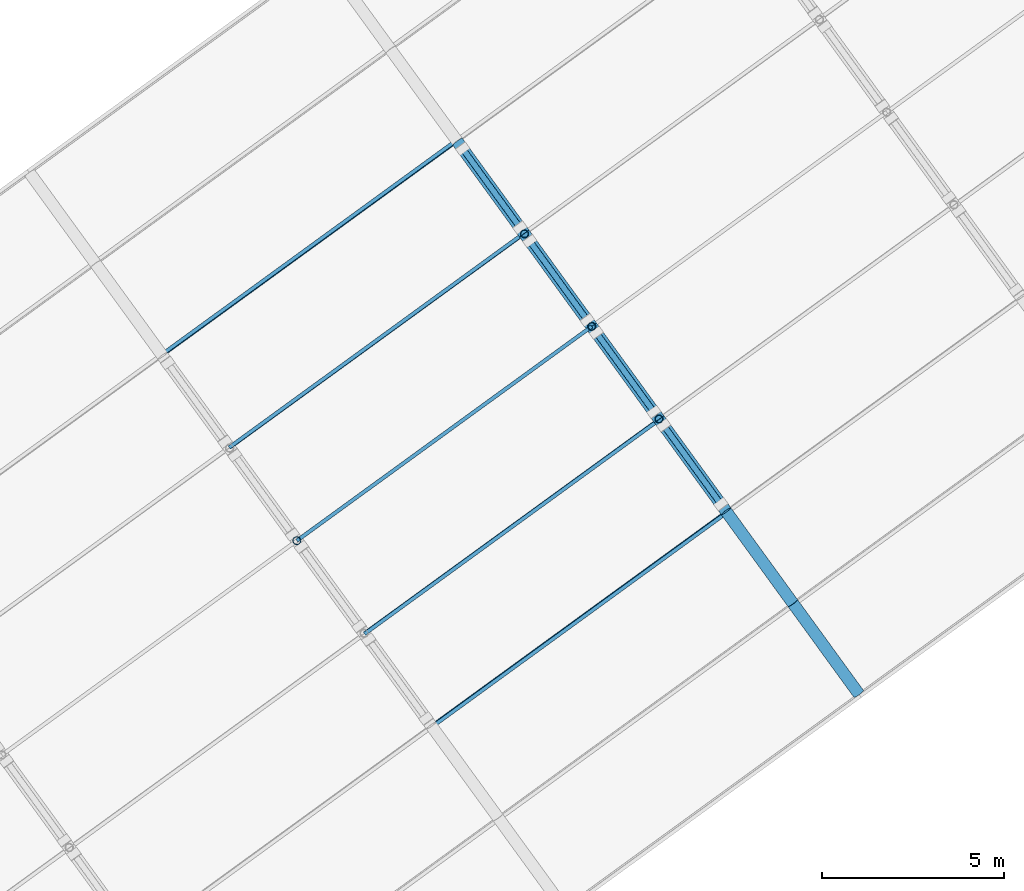
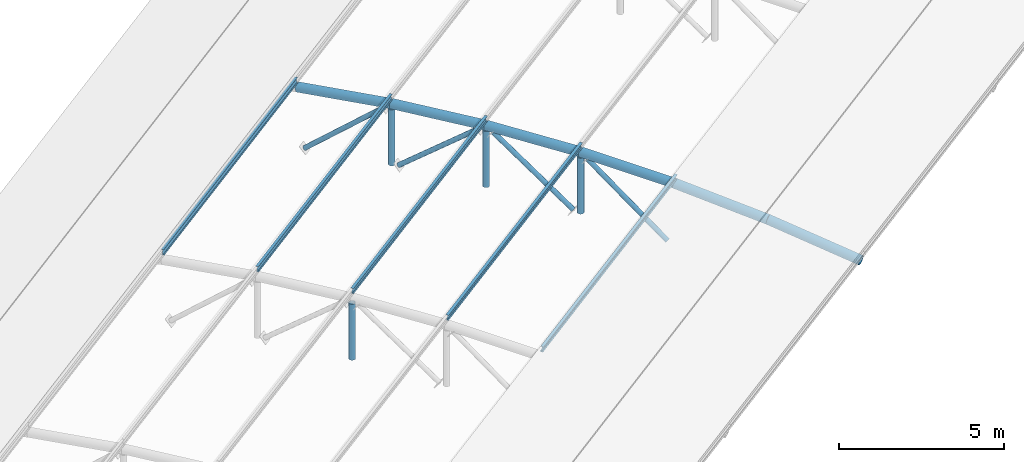
# One storey, part 16 of 41: 14 members, 5 beams.
"""IFC4 building model written with IfcOpenShell, lengths in metres."""

from ifc_helpers import new_model, si_unit, direction, frame, origin, origin_2d, place, context, subcontext, project, spatial, hollow_circle, i_section, extrude, material, material_profile, profile_set, type_object, element, save


model = new_model("IFC4")

# Units and contexts
model_context = context("Model", 3, precision=1e-05, world=origin(), true_north=direction((0.0, 1.0)))
body_context = subcontext(model_context, "Body", "Model", "MODEL_VIEW")
ifc_project = project(units=[si_unit("LENGTHUNIT", "METRE"), si_unit("AREAUNIT", "SQUARE_METRE"), si_unit("VOLUMEUNIT", "CUBIC_METRE"), si_unit("PLANEANGLEUNIT", "RADIAN"), si_unit("MASSUNIT", "GRAM", prefix="KILO")], contexts=[model_context])

# Site, building, storey
site_placement = place(None, origin())
site = spatial("IfcSite", under=ifc_project, at=site_placement, CompositionType="ELEMENT")
building_placement = place(site_placement, origin())
building = spatial("IfcBuilding", under=site, at=building_placement, Name="Okhra Congress Centre", CompositionType="ELEMENT")
storey_placement = place(building_placement, frame((0.0, 0.0, 21.60009765625)))
storey = spatial("IfcBuildingStorey", under=building, at=storey_placement, Name="ROOF", CompositionType="ELEMENT", Elevation=21.60009765625)

# Members
ifc_material_1 = material(Name="Steel S355J2H", Category="steel")
ifc_material_profile_1 = material_profile(ifc_material_1, hollow_circle(Radius=0.084228515625, WallThickness=0.00634765625, at=origin_2d()), Name="CHS 168.3x6.3")
ifc_profile_set_1 = profile_set([ifc_material_profile_1], Name="Steel S355J2H")
member_type_1 = type_object("IfcMemberType", Name="CHS 168.3x6.3", PredefinedType="BRACE", material=ifc_profile_set_1)
member_1_placement = place(storey_placement, frame((241.751220703125, 190.712890625, -1.07080078125), z_axis=(-0.44685165687, 0.615058439697, 0.649635830685), x_axis=(-0.809026036893, -0.587772806133, 0.0)))
element("IfcMember", 1, at=member_1_placement, inside=storey, type_object=member_type_1, Name="Truss 4 diagonal 8", PredefinedType="BRACE", context=body_context, shape_type="SweptSolid", body=[
    extrude(hollow_circle(Radius=0.084228515625, WallThickness=0.00634765625, at=origin_2d()), origin(), (0.0, 0.0, 1.0), 3.4951171875),
])
for number, where, z_axis, x_axis, name in (
    (2, (239.912353515625, 193.244140625, -0.812255859375), (-0.460505203277, 0.633696450338, 0.621581665258), (-0.808957632025, -0.587866948883, 0.0), "Truss 4 diagonal 9"),
    (3, (236.50927734375, 197.927734375, -0.812255859375), (0.460427799508, -0.633760263966, 0.621573945125), (0.809032767915, 0.587763541264, 0.0), "Truss 4 diagonal 10"),
):
    element("IfcMember", number, at=place(storey_placement, frame(where, z_axis=z_axis, x_axis=x_axis)), inside=storey, type_object=member_type_1, Name=name, PredefinedType="BRACE", context=body_context, shape_type="SweptSolid", body=[
        extrude(hollow_circle(Radius=0.084228515625, WallThickness=0.00634765625, at=origin_2d()), origin(), (0.0, 0.0, 1.0), 3.40576171875),
    ])
member_2_placement = place(storey_placement, frame((234.67041015625, 200.458984375, -1.07080078125), z_axis=(0.44685165687, -0.615058439697, 0.649635830685), x_axis=(0.809026036893, 0.587772806133, 0.0)))
element("IfcMember", 4, at=member_2_placement, inside=storey, type_object=member_type_1, Name="Truss 4 diagonal 11", PredefinedType="BRACE", context=body_context, shape_type="SweptSolid", body=[
    extrude(hollow_circle(Radius=0.084228515625, WallThickness=0.00634765625, at=origin_2d()), origin(), (0.0, 0.0, 1.0), 3.4951171875),
])
ifc_material_profile_2 = material_profile(ifc_material_1, hollow_circle(Radius=0.109619140625, WallThickness=0.008056640625, at=origin_2d()), Name="CHS 219.1x8")
ifc_profile_set_2 = profile_set([ifc_material_profile_2], Name="Steel S355J2H")
member_type_2 = type_object("IfcMemberType", Name="CHS 219.1x8", PredefinedType="POST", material=ifc_profile_set_2)
member_3_placement = place(storey_placement, frame((230.12060546875, 189.7080078125, -0.75146484375), z_axis=(0.0, 0.0, 1.0), x_axis=(1.0, 0.0, 0.0)))
element("IfcMember", 5, at=member_3_placement, inside=storey, type_object=member_type_2, Name="Truss 3 post 9", PredefinedType="POST", context=body_context, shape_type="SweptSolid", body=[
    extrude(hollow_circle(Radius=0.109619140625, WallThickness=0.008056640625, at=origin_2d()), origin(), (0.0, 0.0, 1.0), 2.072021484375),
])
member_4_placement = place(storey_placement, frame((240.056396484375, 193.045654296875, -0.842529296875), z_axis=(0.0, 0.0, 1.0), x_axis=(1.0, 0.0, 0.0)))
element("IfcMember", 6, at=member_4_placement, inside=storey, type_object=member_type_2, Name="Truss 4 post 8", PredefinedType="POST", context=body_context, shape_type="SweptSolid", body=[
    extrude(hollow_circle(Radius=0.109619140625, WallThickness=0.008056640625, at=origin_2d()), origin(), (0.0, 0.0, 1.0), 2.071533203125),
])
member_5_placement = place(storey_placement, frame((238.210693359375, 195.5859375, -0.75146484375), z_axis=(0.0, 0.0, 1.0), x_axis=(1.0, 0.0, 0.0)))
element("IfcMember", 7, at=member_5_placement, inside=storey, type_object=member_type_2, Name="Truss 4 post 9", PredefinedType="POST", context=body_context, shape_type="SweptSolid", body=[
    extrude(hollow_circle(Radius=0.109619140625, WallThickness=0.008056640625, at=origin_2d()), origin(), (0.0, 0.0, 1.0), 2.072021484375),
])
member_6_placement = place(storey_placement, frame((236.365234375, 198.1259765625, -0.842529296875), z_axis=(0.0, 0.0, 1.0), x_axis=(1.0, 0.0, 0.0)))
element("IfcMember", 8, at=member_6_placement, inside=storey, type_object=member_type_2, Name="Truss 4 post 10", PredefinedType="POST", context=body_context, shape_type="SweptSolid", body=[
    extrude(hollow_circle(Radius=0.109619140625, WallThickness=0.008056640625, at=origin_2d()), origin(), (0.0, 0.0, 1.0), 2.071533203125),
])
ifc_material_profile_3 = material_profile(ifc_material_1, hollow_circle(Radius=0.161865234375, WallThickness=0.012451171875, at=origin_2d()), Name="CHS 323.9x12.5")
ifc_profile_set_3 = profile_set([ifc_material_profile_3], Name="Steel S355J2H")
member_type_3 = type_object("IfcMemberType", Name="CHS 323.9x12.5", PredefinedType="CHORD", material=ifc_profile_set_3)
for number, where, z_axis, x_axis, name in (
    (9, (245.53076171875, 185.510986328125, 0.029052734375), (-0.575681616785, 0.792290860201, 0.202153082929), (-0.808993389874, -0.587817739729, 0.0), "Truss 4 top chord 6"),
    (10, (243.722412109375, 187.999755859375, 0.6640625), (-0.581543271945, 0.800496412425, 0.144958326942), (-0.809041704036, -0.587751240858, 0.0), "Truss 4 top chord 7"),
    (11, (241.895751953125, 190.51416015625, 1.119384765625), (-0.585574378555, 0.805922581794, 0.087128866254), (-0.808999165888, -0.587809790317, 0.0), "Truss 4 top chord 8"),
):
    element("IfcMember", number, at=place(storey_placement, frame(where, z_axis=z_axis, x_axis=x_axis)), inside=storey, type_object=member_type_3, Name=name, PredefinedType="CHORD", context=body_context, shape_type="SweptSolid", body=[
        extrude(hollow_circle(Radius=0.161865234375, WallThickness=0.012451171875, at=origin_2d()), origin(), (0.0, 0.0, 1.0), 3.14111328125),
    ])
member_7_placement = place(storey_placement, frame((240.056396484375, 193.045654296875, 1.39306640625), z_axis=(-0.587552098776, 0.808661321133, 0.029144449344), x_axis=(-0.809004978104, -0.587801790915, 0.0)))
element("IfcMember", 12, at=member_7_placement, inside=storey, type_object=member_type_3, Name="Truss 4 top chord 9", PredefinedType="CHORD", context=body_context, shape_type="SweptSolid", body=[
    extrude(hollow_circle(Radius=0.161865234375, WallThickness=0.012451171875, at=origin_2d()), origin(), (0.0, 0.0, 1.0), 3.141357421875),
])
member_8_placement = place(storey_placement, frame((238.210693359375, 195.5859375, 1.484619140625), z_axis=(-0.587538134891, 0.808671352746, -0.029147612195), x_axis=(-0.809015088623, -0.587787875327, 0.0)))
element("IfcMember", 13, at=member_8_placement, inside=storey, type_object=member_type_3, Name="Truss 4 top chord 10", PredefinedType="CHORD", context=body_context, shape_type="SweptSolid", body=[
    extrude(hollow_circle(Radius=0.161865234375, WallThickness=0.012451171875, at=origin_2d()), origin(), (0.0, 0.0, 1.0), 3.14111328125),
])
member_9_placement = place(storey_placement, frame((236.365234375, 198.1259765625, 1.39306640625), z_axis=(-0.58553770002, 0.805949820707, -0.087123408777), x_axis=(-0.809026121159, -0.587772690146, 0.0)))
element("IfcMember", 14, at=member_9_placement, inside=storey, type_object=member_type_3, Name="Truss 4 top chord 11", PredefinedType="CHORD", context=body_context, shape_type="SweptSolid", body=[
    extrude(hollow_circle(Radius=0.161865234375, WallThickness=0.012451171875, at=origin_2d()), origin(), (0.0, 0.0, 1.0), 3.141357421875),
])

# Beams
ifc_material_2 = material(Name="Steel S355J2", Category="steel")
ifc_material_profile_4 = material_profile(ifc_material_2, i_section(OverallWidth=0.10009765625, OverallDepth=0.199951171875, WebThickness=0.005615234375, FlangeThickness=0.008544921875, FilletRadius=0.011962890625, at=origin_2d()), Name="IPE 200")
ifc_profile_set_4 = profile_set([ifc_material_profile_4], Name="Steel S355J2")
beam_type = type_object("IfcBeamType", Name="IPE 200", PredefinedType="BEAM", material=ifc_profile_set_4)
for number, where, z_axis, x_axis, name in (
    (15, (233.8232421875, 184.612060546875, 1.376708984375), (0.809022099746, 0.587778225288, 0.0), (-0.583803879201, 0.803551781728, 0.116092914131), "Purlin 8.45"),
    (16, (231.97509765625, 187.15576171875, 1.651611328125), (0.809022099746, 0.587778225288, 0.0), (-0.58678379756, 0.807653362398, 0.058144828905), "Purlin 9.51"),
):
    element("IfcBeam", number, at=place(storey_placement, frame(where, z_axis=z_axis, x_axis=x_axis)), inside=storey, type_object=beam_type, Name=name, PredefinedType="BEAM", context=body_context, shape_type="SweptSolid", body=[
        extrude(i_section(OverallWidth=0.10009765625, OverallDepth=0.199951171875, WebThickness=0.005615234375, FlangeThickness=0.008544921875, FilletRadius=0.011962890625, at=origin_2d()), origin(), (0.0, 0.0, 1.0), 9.999755859375),
    ])
beam_placement = place(storey_placement, frame((230.12060546875, 189.7080078125, 1.743408203125), z_axis=(0.809010490052, 0.58779420462, 0.0), x_axis=(-0.58779420462, 0.809010490052, 0.0)))
element("IfcBeam", 17, at=beam_placement, inside=storey, type_object=beam_type, Name="Purlin 10.57", PredefinedType="BEAM", context=body_context, shape_type="SweptSolid", body=[
    extrude(i_section(OverallWidth=0.10009765625, OverallDepth=0.199951171875, WebThickness=0.005615234375, FlangeThickness=0.008544921875, FilletRadius=0.011962890625, at=origin_2d()), origin(), (0.0, 0.0, 1.0), 10.0),
])
for number, where, z_axis, x_axis, name in (
    (18, (228.266357421875, 192.260498046875, 1.651611328125), (0.809022099746, 0.587778225288, 0.0), (-0.58678379756, 0.807653362398, -0.058144828905), "Purlin 11.63"),
    (19, (226.418212890625, 194.80419921875, 1.376708984375), (0.809022099746, 0.587778225288, 0.0), (-0.583803879201, 0.803551781728, -0.116092914131), "Purlin 12.69"),
):
    element("IfcBeam", number, at=place(storey_placement, frame(where, z_axis=z_axis, x_axis=x_axis)), inside=storey, type_object=beam_type, Name=name, PredefinedType="BEAM", context=body_context, shape_type="SweptSolid", body=[
        extrude(i_section(OverallWidth=0.10009765625, OverallDepth=0.199951171875, WebThickness=0.005615234375, FlangeThickness=0.008544921875, FilletRadius=0.011962890625, at=origin_2d()), origin(), (0.0, 0.0, 1.0), 9.999755859375),
    ])

save(model, "model.ifc")
